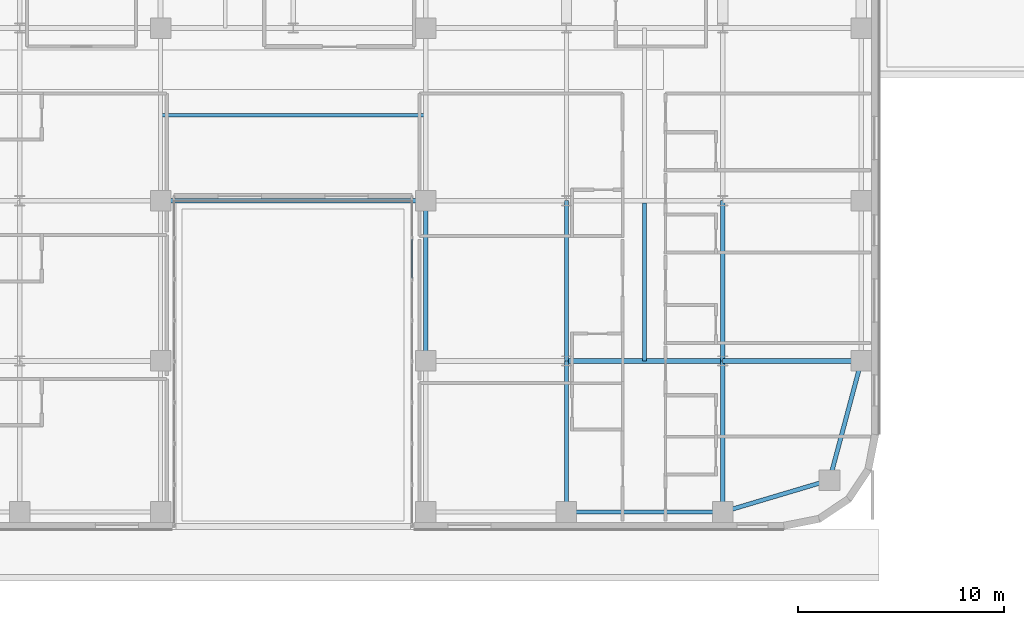
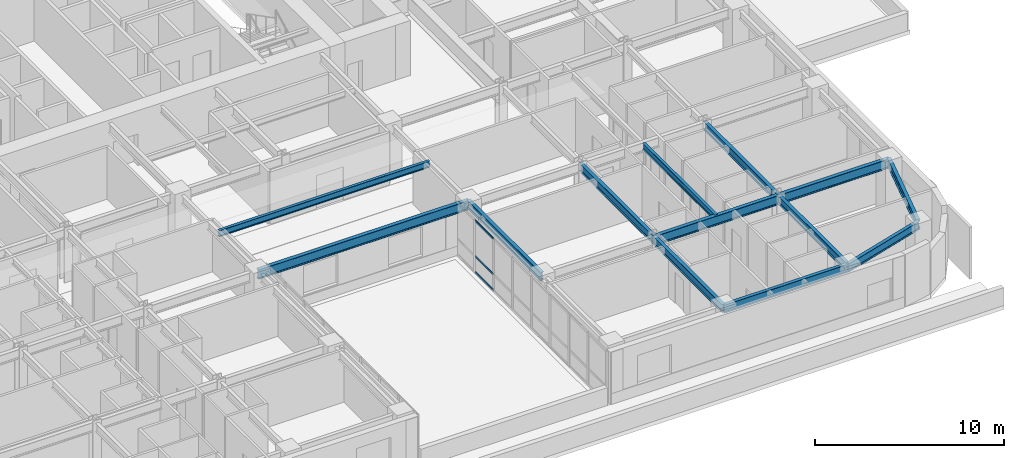
# One storey, part 9 of 25: 13 beams, 3 members, 1 element without a shape of its own.
"""IFC4 building model written with IfcOpenShell, lengths in metres."""

from ifc_helpers import new_model, si_unit, direction, frame, origin, origin_2d, place, context, subcontext, project, spatial, hollow_rectangle, i_section, extrude, source, transform, mapped, material, layer, layer_set, material_profile, profile_set, type_object, type_shapes, element, aggregate, save


model = new_model("IFC4")

# Units and contexts
model_context = context("Model", 3, precision=1e-05, world=origin(), true_north=direction((0.0, 1.0)))
body_context = subcontext(model_context, "Body", "Model", "MODEL_VIEW")
ifc_project = project(units=[si_unit("LENGTHUNIT", "METRE"), si_unit("AREAUNIT", "SQUARE_METRE"), si_unit("VOLUMEUNIT", "CUBIC_METRE"), si_unit("PLANEANGLEUNIT", "RADIAN"), si_unit("MASSUNIT", "GRAM", prefix="KILO")], contexts=[model_context])

# Site, building, storey
site_placement = place(None, origin())
site = spatial("IfcSite", under=ifc_project, at=site_placement, CompositionType="ELEMENT")
building_placement = place(site_placement, origin())
building = spatial("IfcBuilding", under=site, at=building_placement, Name="Tolvann Quenvar Hotel", CompositionType="ELEMENT")
storey_placement = place(building_placement, frame((0.0, 0.0, 32.0)))
storey = spatial("IfcBuildingStorey", under=building, at=storey_placement, Name="L06", CompositionType="ELEMENT", Elevation=32.0)

# Beams
ifc_material_1 = material(Name="Steel Grade 350", Category="steel")
ifc_material_profile_1 = material_profile(ifc_material_1, i_section(OverallWidth=0.208984375, OverallDepth=0.528076171875, WebThickness=0.009521484375, FlangeThickness=0.01318359375, FilletRadius=0.013916015625, at=origin_2d()), Name="530UB82")
ifc_profile_set_1 = profile_set([ifc_material_profile_1], Name="Steel Grade 350")
beam_type_1 = type_object("IfcBeamType", Name="BM_SPAND_530UB82", PredefinedType="SPANDREL", material=ifc_profile_set_1)
shared_shape_1 = source(origin(), body_context, "Body", "SweptSolid", [
    extrude(i_section(OverallWidth=0.208984375, OverallDepth=0.528076171875, WebThickness=0.009521484375, FlangeThickness=0.01318359375, FilletRadius=0.013916015625, at=origin_2d()), origin(), (0.0, 0.0, 1.0), 5.42626953125),
])
beam_1_placement = place(storey_placement, frame((49.39990234375, 0.85009765625, 3.10595703125), z_axis=(0.958344815522, 0.285613750654, 0.0), x_axis=(-0.285613750654, 0.958344815522, 0.0)))
element("IfcBeam", 1, at=beam_1_placement, inside=storey, type_object=beam_type_1, Name="BM-L06-EW-2-I2-J2", PredefinedType="SPANDREL", context=body_context, shape_type="MappedRepresentation", body=[
    mapped(shared_shape_1, transform((0.0, 0.0, 0.0), x_axis=(1.0, 0.0, 0.0), y_axis=(0.0, 1.0, 0.0), z_axis=(0.0, 0.0, 1.0), scale=1.0)),
])
shared_shape_2 = source(origin(), body_context, "Body", "SweptSolid", [
    extrude(i_section(OverallWidth=0.208984375, OverallDepth=0.528076171875, WebThickness=0.009521484375, FlangeThickness=0.01318359375, FilletRadius=0.013916015625, at=origin_2d()), origin(), (0.0, 0.0, 1.0), 7.599853515625),
])
beam_2_placement = place(storey_placement, frame((41.800048828125, 0.85009765625, 3.10595703125), z_axis=(1.0, 0.0, 0.0), x_axis=(0.0, 1.0, 0.0)))
element("IfcBeam", 2, at=beam_2_placement, inside=storey, type_object=beam_type_1, Name="BM-L06-EW-2-H2-I2", PredefinedType="SPANDREL", context=body_context, shape_type="MappedRepresentation", body=[
    mapped(shared_shape_2, transform((0.0, 0.0, 0.0), x_axis=(1.0, 0.0, 0.0), y_axis=(0.0, 1.0, 0.0), z_axis=(0.0, 0.0, 1.0), scale=1.0)),
])
ifc_material_profile_2 = material_profile(ifc_material_1, i_section(OverallWidth=0.22900390625, OverallDepth=0.612060546875, WebThickness=0.011962890625, FlangeThickness=0.01953125, FilletRadius=0.013916015625, at=origin_2d()), Name="610UB125")
ifc_profile_set_2 = profile_set([ifc_material_profile_2], Name="Steel Grade 350")
beam_type_2 = type_object("IfcBeamType", Name="BM_GIRD_610UB125", PredefinedType="BEAM", material=ifc_profile_set_2)
shared_shape_3 = source(origin(), body_context, "Body", "SweptSolid", [
    extrude(i_section(OverallWidth=0.22900390625, OverallDepth=0.612060546875, WebThickness=0.011962890625, FlangeThickness=0.01953125, FilletRadius=0.013916015625, at=origin_2d()), origin(), (0.0, 0.0, 1.0), 6.75),
])
beam_3_placement = place(storey_placement, frame((49.39990234375, 8.199951171875, 3.06396484375), z_axis=(1.0, 0.0, 0.0), x_axis=(0.0, 1.0, 0.0)))
element("IfcBeam", 3, at=beam_3_placement, inside=storey, type_object=beam_type_2, Name="BM-L06-EW-3-I3-J3", PredefinedType="BEAM", context=body_context, shape_type="MappedRepresentation", body=[
    mapped(shared_shape_3, transform((0.0, 0.0, 0.0), x_axis=(1.0, 0.0, 0.0), y_axis=(0.0, 1.0, 0.0), z_axis=(0.0, 0.0, 1.0), scale=1.0)),
])
shared_shape_4 = source(origin(), body_context, "Body", "SweptSolid", [
    extrude(i_section(OverallWidth=0.22900390625, OverallDepth=0.612060546875, WebThickness=0.011962890625, FlangeThickness=0.01953125, FilletRadius=0.013916015625, at=origin_2d()), origin(), (0.0, 0.0, 1.0), 7.599853515625),
])
beam_4_placement = place(storey_placement, frame((41.800048828125, 8.199951171875, 3.06396484375), z_axis=(1.0, 0.0, 0.0), x_axis=(0.0, 1.0, 0.0)))
element("IfcBeam", 4, at=beam_4_placement, inside=storey, type_object=beam_type_2, Name="BM-L06-EW-3-H3-I3", PredefinedType="BEAM", context=body_context, shape_type="MappedRepresentation", body=[
    mapped(shared_shape_4, transform((0.0, 0.0, 0.0), x_axis=(1.0, 0.0, 0.0), y_axis=(0.0, 1.0, 0.0), z_axis=(0.0, 0.0, 1.0), scale=1.0)),
])
shared_shape_5 = source(origin(), body_context, "Body", "SweptSolid", [
    extrude(i_section(OverallWidth=0.22900390625, OverallDepth=0.612060546875, WebThickness=0.011962890625, FlangeThickness=0.01953125, FilletRadius=0.013916015625, at=origin_2d()), origin(), (0.0, 0.0, 1.0), 12.89990234375),
])
type_shapes(beam_type_2, [shared_shape_3, shared_shape_4, shared_shape_5])
beam_5_placement = place(storey_placement, frame((22.050048828125, 16.0, 3.06396484375), z_axis=(1.0, 0.0, 0.0), x_axis=(0.0, 1.0, 0.0)))
element("IfcBeam", 5, at=beam_5_placement, inside=storey, type_object=beam_type_2, Name="BM-L06-EW-4-E4-F4", PredefinedType="BEAM", context=body_context, shape_type="MappedRepresentation", body=[
    mapped(shared_shape_5, transform((0.0, 0.0, 0.0), x_axis=(1.0, 0.0, 0.0), y_axis=(0.0, 1.0, 0.0), z_axis=(0.0, 0.0, 1.0), scale=1.0)),
])
shared_shape_6 = source(origin(), body_context, "Body", "SweptSolid", [
    extrude(i_section(OverallWidth=0.208984375, OverallDepth=0.528076171875, WebThickness=0.009521484375, FlangeThickness=0.01318359375, FilletRadius=0.013916015625, at=origin_2d()), origin(), (0.0, 0.0, 1.0), 6.00341796875),
])
type_shapes(beam_type_1, [shared_shape_1, shared_shape_2, shared_shape_6])
beam_6_placement = place(storey_placement, frame((54.60009765625, 2.39990234375, 3.10595703125), z_axis=(0.258148586649, 0.966105225745, 0.0), x_axis=(-0.966105225745, 0.258148586649, 0.0)))
element("IfcBeam", 6, at=beam_6_placement, inside=storey, type_object=beam_type_1, Name="BM-L06-NS-J2-J3", PredefinedType="SPANDREL", context=body_context, shape_type="MappedRepresentation", body=[
    mapped(shared_shape_6, transform((0.0, 0.0, 0.0), x_axis=(1.0, 0.0, 0.0), y_axis=(0.0, 1.0, 0.0), z_axis=(0.0, 0.0, 1.0), scale=1.0)),
])
ifc_material_profile_3 = material_profile(ifc_material_1, i_section(OverallWidth=0.208984375, OverallDepth=0.532958984375, WebThickness=0.01025390625, FlangeThickness=0.015625, FilletRadius=0.013916015625, at=origin_2d()), Name="530UB92")
ifc_profile_set_3 = profile_set([ifc_material_profile_3], Name="Steel Grade 350")
beam_type_3 = type_object("IfcBeamType", Name="BM_GIRD_530UB92", PredefinedType="BEAM", material=ifc_profile_set_3)
shared_shape_7 = source(origin(), body_context, "Body", "SweptSolid", [
    extrude(i_section(OverallWidth=0.208984375, OverallDepth=0.532958984375, WebThickness=0.01025390625, FlangeThickness=0.015625, FilletRadius=0.013916015625, at=origin_2d()), origin(), (0.0, 0.0, 1.0), 7.349853515625),
])
for number, where, z_axis, x_axis, name in (
    (7, (41.800048828125, 0.85009765625, 3.103515625), (0.0, 1.0, 0.0), (-1.0, 0.0, 0.0), "BM-L06-NS-H2-H3"),
    (8, (49.39990234375, 0.85009765625, 3.103515625), (0.0, 1.0, 0.0), (-1.0, 0.0, 0.0), "BM-L06-NS-I2-I3"),
):
    element("IfcBeam", number, at=place(storey_placement, frame(where, z_axis=z_axis, x_axis=x_axis)), inside=storey, type_object=beam_type_3, Name=name, PredefinedType="BEAM", context=body_context, shape_type="MappedRepresentation", body=[
        mapped(shared_shape_7, transform((0.0, 0.0, 0.0), x_axis=(1.0, 0.0, 0.0), y_axis=(0.0, 1.0, 0.0), z_axis=(0.0, 0.0, 1.0), scale=1.0)),
    ])
shared_shape_8 = source(origin(), body_context, "Body", "SweptSolid", [
    extrude(i_section(OverallWidth=0.208984375, OverallDepth=0.532958984375, WebThickness=0.01025390625, FlangeThickness=0.015625, FilletRadius=0.013916015625, at=origin_2d()), origin(), (0.0, 0.0, 1.0), 7.800048828125),
])
type_shapes(beam_type_3, [shared_shape_7, shared_shape_8])
for number, where, z_axis, x_axis, name in (
    (9, (34.949951171875, 8.199951171875, 3.103515625), (0.0, 1.0, 0.0), (-1.0, 0.0, 0.0), "BM-L06-NS-F3-F4"),
    (10, (41.800048828125, 8.199951171875, 3.103515625), (0.0, 1.0, 0.0), (-1.0, 0.0, 0.0), "BM-L06-NS-H3-H4"),
    (11, (49.39990234375, 8.199951171875, 3.103515625), (0.0, 1.0, 0.0), (-1.0, 0.0, 0.0), "BM-L06-NS-I3-I4"),
):
    element("IfcBeam", number, at=place(storey_placement, frame(where, z_axis=z_axis, x_axis=x_axis)), inside=storey, type_object=beam_type_3, Name=name, PredefinedType="BEAM", context=body_context, shape_type="MappedRepresentation", body=[
        mapped(shared_shape_8, transform((0.0, 0.0, 0.0), x_axis=(1.0, 0.0, 0.0), y_axis=(0.0, 1.0, 0.0), z_axis=(0.0, 0.0, 1.0), scale=1.0)),
    ])
ifc_material_profile_4 = material_profile(ifc_material_1, i_section(OverallWidth=0.177978515625, OverallDepth=0.406005859375, WebThickness=0.0078125, FlangeThickness=0.0126953125, FilletRadius=0.011474609375, at=origin_2d()), Name="410UB60")
ifc_profile_set_4 = profile_set([ifc_material_profile_4], Name="Steel Grade 350")
beam_type_4 = type_object("IfcBeamType", Name="BM_JOIST_410UB60", PredefinedType="JOIST", material=ifc_profile_set_4)
shared_shape_9 = source(origin(), body_context, "Body", "SweptSolid", [
    extrude(i_section(OverallWidth=0.177978515625, OverallDepth=0.406005859375, WebThickness=0.0078125, FlangeThickness=0.0126953125, FilletRadius=0.011474609375, at=origin_2d()), origin(), (0.0, 0.0, 1.0), 12.89990234375),
])
beam_7_placement = place(storey_placement, frame((22.050048828125, 20.14990234375, 3.1669921875), z_axis=(1.0, 0.0, 0.0), x_axis=(0.0, 1.0, 0.0)))
element("IfcBeam", 12, at=beam_7_placement, inside=storey, type_object=beam_type_4, Name="BM-L06-SPINE-20", PredefinedType="JOIST", context=body_context, shape_type="MappedRepresentation", body=[
    mapped(shared_shape_9, transform((0.0, 0.0, 0.0), x_axis=(1.0, 0.0, 0.0), y_axis=(0.0, 1.0, 0.0), z_axis=(0.0, 0.0, 1.0), scale=1.0)),
])
shared_shape_10 = source(origin(), body_context, "Body", "SweptSolid", [
    extrude(i_section(OverallWidth=0.177978515625, OverallDepth=0.406005859375, WebThickness=0.0078125, FlangeThickness=0.0126953125, FilletRadius=0.011474609375, at=origin_2d()), origin(), (0.0, 0.0, 1.0), 7.691650390625),
])
type_shapes(beam_type_4, [shared_shape_9, shared_shape_10])
beam_8_placement = place(storey_placement, frame((45.60009765625, 8.199951171875, 3.1669921875), z_axis=(0.0, 1.0, 0.0), x_axis=(-1.0, 0.0, 0.0)))
element("IfcBeam", 13, at=beam_8_placement, inside=storey, type_object=beam_type_4, Name="BJ-L06-456-82", PredefinedType="JOIST", context=body_context, shape_type="MappedRepresentation", body=[
    mapped(shared_shape_10, transform((0.0, 0.0, 0.0), x_axis=(1.0, 0.0, 0.0), y_axis=(0.0, 1.0, 0.0), z_axis=(0.0, 0.0, 1.0), scale=1.0)),
])

# Curtain wall, members
ifc_material_2 = material(Name="Thermally broken anodised architectural aluminium 6063-T6 and laminated low-E glass", Category="aluminium")
ifc_layer = layer(ifc_material_2, 0.179931640625)
ifc_layer_set = layer_set([ifc_layer], Name="Thermally broken anodised architectural aluminium 6063-T6 and laminated low-E glass")
curtain_wall_type = type_object("IfcCurtainWallType", Name="CW_SYS_SLOT_03", PredefinedType="USERDEFINED", material=ifc_layer_set)
curtain_wall_placement = place(storey_placement, origin())
curtain_wall = element("IfcCurtainWall", 14, at=curtain_wall_placement, inside=storey, type_object=curtain_wall_type, Name="Curtain Wall CW-SLOT-03 (CWR-L06-E07)", ObjectType="UNITISED CURTAIN WALL", PredefinedType="USERDEFINED")
ifc_material_3 = material(Name="Anodised architectural aluminium 6063-T6 framing", Category="aluminium")
ifc_material_profile_5 = material_profile(ifc_material_3, hollow_rectangle(XDim=0.06005859375, YDim=0.1201171875, WallThickness=0.00341796875, at=origin_2d()), Name="120x60x3.5RHS")
ifc_profile_set_5 = profile_set([ifc_material_profile_5], Name="Anodised architectural aluminium 6063-T6 framing")
member_type = type_object("IfcMemberType", Name="CW_TRAN_120x60", PredefinedType="USERDEFINED", material=ifc_profile_set_5)
shared_shape_11 = source(origin(), body_context, "Body", "SweptSolid", [
    extrude(hollow_rectangle(XDim=0.06005859375, YDim=0.1201171875, WallThickness=0.00341796875, at=origin_2d()), origin(), (0.0, 0.0, 1.0), 1.929931640625),
])
type_shapes(member_type, [shared_shape_11])
member_1_placement = place(storey_placement, frame((34.2900390625, 14.139892578125, 0.030029296875), z_axis=(0.0, -1.0, 0.0), x_axis=(1.0, 0.0, 0.0)))
member_1 = element("IfcMember", 15, at=member_1_placement, type_object=member_type, Name="CW-SLOT-03 transom 2.1", ObjectType="TRANSOM", PredefinedType="USERDEFINED", context=body_context, shape_type="MappedRepresentation", body=[
    mapped(shared_shape_11, transform((0.0, 0.0, 0.0), x_axis=(1.0, 0.0, 0.0), y_axis=(0.0, 1.0, 0.0), z_axis=(0.0, 0.0, 1.0), scale=1.0)),
])
member_2_placement = place(storey_placement, frame((34.2900390625, 14.139892578125, 1.050048828125), z_axis=(0.0, -1.0, 0.0), x_axis=(1.0, 0.0, 0.0)))
member_2 = element("IfcMember", 16, at=member_2_placement, type_object=member_type, Name="CW-SLOT-03 transom 2.2", ObjectType="TRANSOM", PredefinedType="USERDEFINED", context=body_context, shape_type="MappedRepresentation", body=[
    mapped(shared_shape_11, transform((0.0, 0.0, 0.0), x_axis=(1.0, 0.0, 0.0), y_axis=(0.0, 1.0, 0.0), z_axis=(0.0, 0.0, 1.0), scale=1.0)),
])
member_3_placement = place(storey_placement, frame((34.2900390625, 14.139892578125, 3.340087890625), z_axis=(0.0, -1.0, 0.0), x_axis=(1.0, 0.0, 0.0)))
member_3 = element("IfcMember", 17, at=member_3_placement, type_object=member_type, Name="CW-SLOT-03 transom 2.3", ObjectType="TRANSOM", PredefinedType="USERDEFINED", context=body_context, shape_type="MappedRepresentation", body=[
    mapped(shared_shape_11, transform((0.0, 0.0, 0.0), x_axis=(1.0, 0.0, 0.0), y_axis=(0.0, 1.0, 0.0), z_axis=(0.0, 0.0, 1.0), scale=1.0)),
])
aggregate(curtain_wall, [member_1, member_2, member_3])

save(model, "model.ifc")
